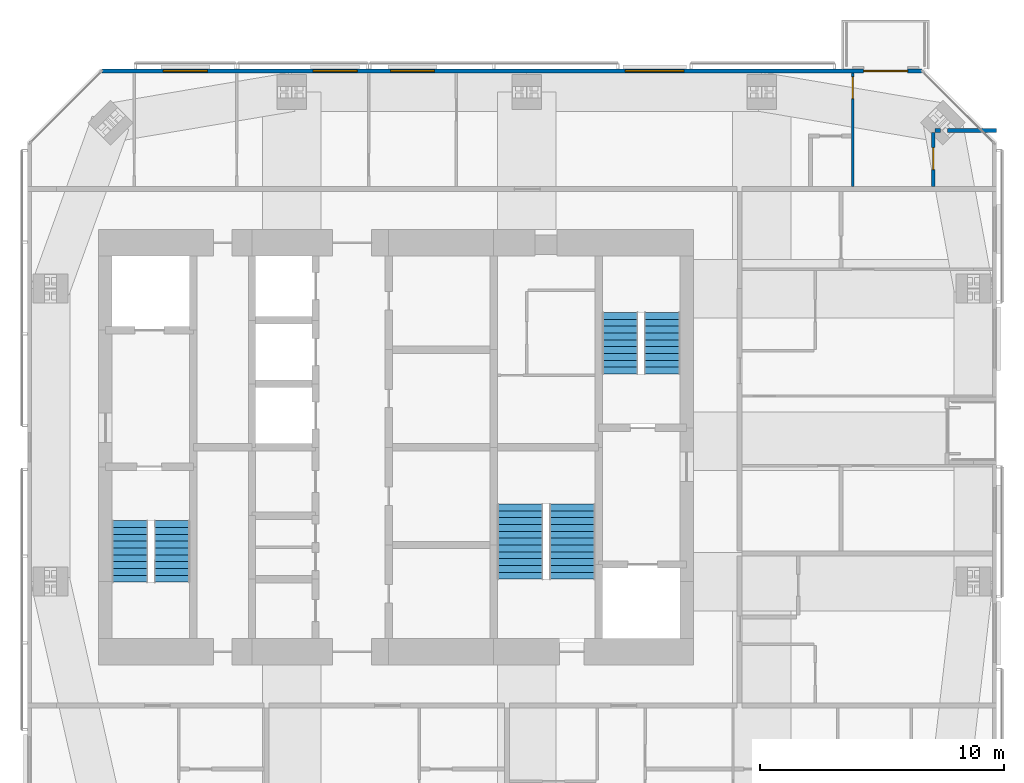
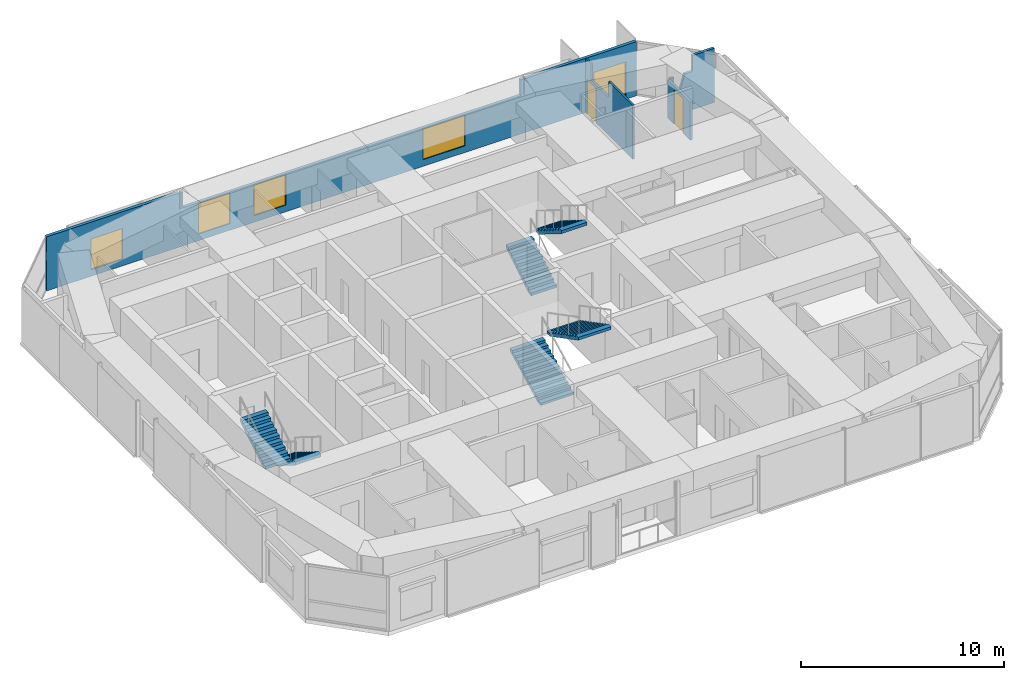
# One storey, part 19 of 20: 6 stair flights, 5 walls, 4 windows, 3 doors, 7 openings, 3 elements without a shape of their own.
"""IFC4 building model written with IfcOpenShell, lengths in metres."""

from ifc_helpers import new_model, si_unit, direction, frame, frame_2d, origin, place, context, subcontext, project, spatial, polyline, rectangle, outline, extrude, material, constituent, constituent_set, type_object, element, fill, aggregate, save


model = new_model("IFC4")

# Units and contexts
model_context = context("Model", 3, precision=1e-05, world=origin(), true_north=direction((0.0, 1.0)))
body_context = subcontext(model_context, "Body", "Model", "MODEL_VIEW")
ifc_project = project(units=[si_unit("LENGTHUNIT", "METRE"), si_unit("AREAUNIT", "SQUARE_METRE"), si_unit("VOLUMEUNIT", "CUBIC_METRE"), si_unit("PLANEANGLEUNIT", "RADIAN"), si_unit("MASSUNIT", "GRAM", prefix="KILO")], contexts=[model_context])

# Site, building, storey
site_placement = place(None, origin())
site = spatial("IfcSite", under=ifc_project, at=site_placement, CompositionType="ELEMENT")
building_placement = place(site_placement, origin())
building = spatial("IfcBuilding", under=site, at=building_placement, Name="Jalousie Tower", CompositionType="ELEMENT")
storey_placement = place(building_placement, frame((0.0, 0.0, 245.949951171875)))
storey = spatial("IfcBuildingStorey", under=building, at=storey_placement, Name="L67", CompositionType="ELEMENT", Elevation=245.949951171875)

# Walls
ifc_material_1 = material(Name="Concrete block ASTM C90", Category="concrete")
ifc_constituent_1 = constituent(ifc_material_1, Name="Body")
ifc_material_2 = material(Name="Render")
ifc_constituent_2 = constituent(ifc_material_2, Name="Finish")
ifc_constituent_set_1 = constituent_set(constituents=[ifc_constituent_1, ifc_constituent_2])
wall_type_1 = type_object("IfcWallType", Name="BATHROOM WALL 150", PredefinedType="PLUMBINGWALL", material=ifc_constituent_set_1)
wall_1_placement = place(storey_placement, frame((53.97509765625, 31.47509765625, 0.0), z_axis=(0.0, 0.0, 1.0), x_axis=(1.0, 0.0, 0.0)))
element("IfcWall", 1, at=wall_1_placement, inside=storey, type_object=wall_type_1, Name="Bathroom Wall 150 L67-A", PredefinedType="PLUMBINGWALL", context=body_context, shape_type="SweptSolid", body=[
    extrude(rectangle(XDim=0.216796875, YDim=0.14990234375, at=frame_2d((0.1083984375, 0.0))), origin(), (0.0, 0.0, 1.0), 2.300048828125),
])
wall_2_placement = place(storey_placement, frame((54.47802734375, 31.47509765625, 0.0), z_axis=(0.0, 0.0, 1.0), x_axis=(1.0, 0.0, 0.0)))
element("IfcWall", 2, at=wall_2_placement, inside=storey, type_object=wall_type_1, Name="Bathroom Wall 150 L67-B", PredefinedType="PLUMBINGWALL", context=body_context, shape_type="SweptSolid", body=[
    extrude(outline(polyline([(0.773681640625, 3.260009765625), (0.773681640625, 2.300048828125), (0.3251953125, 2.300048828125), (0.0, 1.150146484375), (0.3251953125, 0.0), (2.02197265625, 0.0), (2.02197265625, 3.260009765625), (0.773681640625, 3.260009765625)])), frame((0.0, 0.074951171875, 0.0), z_axis=(0.0, -1.0, 0.0), x_axis=(1.0, 0.0, 0.0)), (0.0, 0.0, 1.0), 0.14990234375),
])

# Wall, opening, door
wall_3_placement = place(storey_placement, frame((53.89990234375, 31.39990234375, 0.0), z_axis=(0.0, 0.0, 1.0), x_axis=(0.0, -1.0, 0.0)))
wall_3 = element("IfcWall", 3, at=wall_3_placement, inside=storey, type_object=wall_type_1, Name="Bathroom Wall 150 L67", PredefinedType="PLUMBINGWALL", context=body_context, shape_type="SweptSolid", body=[
    extrude(outline(polyline([(0.0, 0.0), (2.224853515625, 0.0), (2.22509765625, 3.260009765625), (2.22509765625, 2.300048828125), (0.43798828125, 2.300048828125), (0.0, 2.300048828125), (0.0, 3.260009765625), (0.0, 0.0)])), frame((0.0, 0.074951171875, 0.0), z_axis=(0.0, -1.0, 0.0), x_axis=(1.0, 0.0, 0.0)), (0.0, 0.0, 1.0), 0.14990234375),
])
opening_1_placement = place(wall_3_placement, frame((0.625, 0.0, 0.0)))
opening_1 = element("IfcOpeningElement", 4, at=opening_1_placement, cuts=wall_3, Name="Opening D3", PredefinedType="OPENING", context=body_context, shape_type="SweptSolid", body=[
    extrude(rectangle(XDim=0.89990234375, YDim=2.10009765625, at=frame_2d((0.449951171875, 1.050048828125))), frame((0.0, 0.0849609375, 0.0), z_axis=(0.0, -1.0, 0.0), x_axis=(1.0, 0.0, 0.0)), (0.0, 0.0, 1.0), 0.169921875),
])
ifc_material_3 = material(Name="Timber door", Category="wood")
door_type_1 = type_object("IfcDoorType", Name="BATHROOM DOOR 900", OperationType="SINGLE_SWING_LEFT", PredefinedType="DOOR", material=ifc_material_3)
door_1_placement = place(opening_1_placement, origin())
door_1 = element("IfcDoor", 5, at=door_1_placement, inside=storey, type_object=door_type_1, Name="Apartment 6704 bathroom door", OperationType="SINGLE_SWING_LEFT", OverallHeight=2.10009765625, OverallWidth=0.89990234375, PredefinedType="DOOR", context=body_context, shape_type="SweptSolid", body=[
    extrude(rectangle(XDim=0.89990234375, YDim=2.10009765625, at=frame_2d((0.449951171875, 1.050048828125))), frame((0.0, 0.02490234375, 0.0), z_axis=(0.0, -1.0, 0.0), x_axis=(1.0, 0.0, 0.0)), (0.0, 0.0, 1.0), 0.050048828125),
])
fill(opening_1, door_1)

# Wall, openings, door, windows
ifc_material_4 = material(Name="Concrete f'c 40 MPa", Category="concrete")
ifc_constituent_3 = constituent(ifc_material_4, Name="Body")
ifc_material_5 = material(Name="Render, pastel sky blue")
ifc_constituent_4 = constituent(ifc_material_5, Name="Finish")
ifc_constituent_set_2 = constituent_set(constituents=[ifc_constituent_3, ifc_constituent_4])
wall_type_2 = type_object("IfcWallType", Name="EXTERNAL WALL 175 SKY BLUE RENDER", PredefinedType="SOLIDWALL", material=ifc_constituent_set_2)
wall_4_placement = place(storey_placement, frame((53.44873046875, 33.91259765625, 0.0), z_axis=(0.0, 0.0, 1.0), x_axis=(-1.0, 0.0, 0.0)))
wall_4 = element("IfcWall", 6, at=wall_4_placement, inside=storey, type_object=wall_type_2, Name="External Wall 175 Sky Blue Render L67", PredefinedType="SOLIDWALL", context=body_context, shape_type="SweptSolid", body=[
    extrude(outline(polyline([(0.0, 0.0), (33.597412109375, 0.0), (33.597412109375, 3.260009765625), (26.03857421875, 3.260009765625), (26.03857421875, 2.300048828125), (25.955078125, 2.300048828125), (25.955078125, 3.260009765625), (25.82373046875, 3.260009765625), (25.82373046875, 2.300048828125), (6.57373046875, 2.300048828125), (6.57373046875, 3.260009765625), (6.4423828125, 3.260009765625), (6.4423828125, 2.300048828125), (6.35888671875, 2.300048828125), (6.35888671875, 3.260009765625), (0.0, 3.260009765625), (0.0, 0.0)])), frame((0.0, 0.08740234375, 0.0), z_axis=(0.0, -1.0, 0.0), x_axis=(1.0, 0.0, 0.0)), (0.0, 0.0, 1.0), 0.175048828125),
])
opening_2_placement = place(wall_4_placement, frame((0.60009765625, 0.0, 0.0)))
opening_2 = element("IfcOpeningElement", 7, at=opening_2_placement, cuts=wall_4, Name="Opening D-BAL22", PredefinedType="OPENING", context=body_context, shape_type="SweptSolid", body=[
    extrude(rectangle(XDim=1.800048828125, YDim=2.25, at=frame_2d((0.89990234375, 1.125))), frame((0.0, 0.097412109375, 0.0), z_axis=(0.0, -1.0, 0.0), x_axis=(1.0, 0.0, 0.0)), (0.0, 0.0, 1.0), 0.195068359375),
])
opening_3_placement = place(wall_4_placement, frame((9.760009765625, 0.0, 0.39990234375)))
opening_3 = element("IfcOpeningElement", 8, at=opening_3_placement, cuts=wall_4, Name="Opening W-LIV185", PredefinedType="OPENING", context=body_context, shape_type="SweptSolid", body=[
    extrude(rectangle(XDim=2.39990234375, YDim=1.85009765625, at=frame_2d((1.199951171875, 0.925048828125))), frame((0.0, 0.097412109375, 0.0), z_axis=(0.0, -1.0, 0.0), x_axis=(1.0, 0.0, 0.0)), (0.0, 0.0, 1.0), 0.195068359375),
])
opening_4_placement = place(wall_4_placement, frame((19.9736328125, 0.0, 0.39990234375)))
opening_4 = element("IfcOpeningElement", 9, at=opening_4_placement, cuts=wall_4, Name="Opening W-BED185", PredefinedType="OPENING", context=body_context, shape_type="SweptSolid", body=[
    extrude(rectangle(XDim=1.800048828125, YDim=1.85009765625, at=frame_2d((0.89990234375, 0.925048828125))), frame((0.0, 0.097412109375, 0.0), z_axis=(0.0, -1.0, 0.0), x_axis=(1.0, 0.0, 0.0)), (0.0, 0.0, 1.0), 0.195068359375),
])
opening_5_placement = place(wall_4_placement, frame((23.143798828125, 0.0, 0.39990234375)))
opening_5 = element("IfcOpeningElement", 10, at=opening_5_placement, cuts=wall_4, Name="Opening W-BED185", PredefinedType="OPENING", context=body_context, shape_type="SweptSolid", body=[
    extrude(rectangle(XDim=1.800048828125, YDim=1.85009765625, at=frame_2d((0.89990234375, 0.925048828125))), frame((0.0, 0.097412109375, 0.0), z_axis=(0.0, -1.0, 0.0), x_axis=(1.0, 0.0, 0.0)), (0.0, 0.0, 1.0), 0.195068359375),
])
opening_6_placement = place(wall_4_placement, frame((29.273193359375, 0.0, 0.39990234375)))
opening_6 = element("IfcOpeningElement", 11, at=opening_6_placement, cuts=wall_4, Name="Opening W-BED185", PredefinedType="OPENING", context=body_context, shape_type="SweptSolid", body=[
    extrude(rectangle(XDim=1.800048828125, YDim=1.85009765625, at=frame_2d((0.89990234375, 0.925048828125))), frame((0.0, 0.097412109375, 0.0), z_axis=(0.0, -1.0, 0.0), x_axis=(1.0, 0.0, 0.0)), (0.0, 0.0, 1.0), 0.195068359375),
])
ifc_material_6 = material(Name="Aluminium frame, impact-rated glazing", Category="aluminium")
door_type_2 = type_object("IfcDoorType", Name="BALCONY DOOR 1800x2250", OperationType="SLIDING_TO_LEFT", PredefinedType="DOOR", material=ifc_material_6)
door_2_placement = place(opening_2_placement, origin())
door_2 = element("IfcDoor", 12, at=door_2_placement, inside=storey, type_object=door_type_2, Name="Apartment 6704 bedroom 5 balcony door", OperationType="SLIDING_TO_LEFT", OverallHeight=2.25, OverallWidth=1.800048828125, PredefinedType="DOOR", context=body_context, shape_type="SweptSolid", body=[
    extrude(rectangle(XDim=1.800048828125, YDim=2.25, at=frame_2d((0.89990234375, 1.125))), frame((0.0, 0.02490234375, 0.0), z_axis=(0.0, -1.0, 0.0), x_axis=(1.0, 0.0, 0.0)), (0.0, 0.0, 1.0), 0.050048828125),
])
fill(opening_2, door_2)
ifc_material_7 = material(Name="Aluminium frame, impact-rated glazing", Category="aluminium")
window_type_1 = type_object("IfcWindowType", Name="WINDOW BED 1800x1850", PartitioningType="SINGLE_PANEL", PredefinedType="WINDOW", material=ifc_material_7)
window_1_placement = place(opening_4_placement, origin())
window_1 = element("IfcWindow", 13, at=window_1_placement, inside=storey, type_object=window_type_1, Name="Apartment 6704 bedroom 4 window", OverallHeight=1.85009765625, OverallWidth=1.800048828125, PartitioningType="SINGLE_PANEL", PredefinedType="WINDOW", context=body_context, shape_type="SweptSolid", body=[
    extrude(rectangle(XDim=1.800048828125, YDim=1.85009765625, at=frame_2d((0.89990234375, 0.925048828125))), frame((0.0, 0.030029296875, 0.0), z_axis=(0.0, -1.0, 0.0), x_axis=(1.0, 0.0, 0.0)), (0.0, 0.0, 1.0), 0.06005859375),
])
fill(opening_4, window_1)
window_2_placement = place(opening_5_placement, origin())
window_2 = element("IfcWindow", 14, at=window_2_placement, inside=storey, type_object=window_type_1, Name="Apartment 6704 bedroom 3 window", OverallHeight=1.85009765625, OverallWidth=1.800048828125, PartitioningType="SINGLE_PANEL", PredefinedType="WINDOW", context=body_context, shape_type="SweptSolid", body=[
    extrude(rectangle(XDim=1.800048828125, YDim=1.85009765625, at=frame_2d((0.89990234375, 0.925048828125))), frame((0.0, 0.030029296875, 0.0), z_axis=(0.0, -1.0, 0.0), x_axis=(1.0, 0.0, 0.0)), (0.0, 0.0, 1.0), 0.06005859375),
])
fill(opening_5, window_2)
window_3_placement = place(opening_6_placement, origin())
window_3 = element("IfcWindow", 15, at=window_3_placement, inside=storey, type_object=window_type_1, Name="Apartment 6704 bedroom 2 window", OverallHeight=1.85009765625, OverallWidth=1.800048828125, PartitioningType="SINGLE_PANEL", PredefinedType="WINDOW", context=body_context, shape_type="SweptSolid", body=[
    extrude(rectangle(XDim=1.800048828125, YDim=1.85009765625, at=frame_2d((0.89990234375, 0.925048828125))), frame((0.0, 0.030029296875, 0.0), z_axis=(0.0, -1.0, 0.0), x_axis=(1.0, 0.0, 0.0)), (0.0, 0.0, 1.0), 0.06005859375),
])
fill(opening_6, window_3)
ifc_material_8 = material(Name="Aluminium frame, impact-rated glazing", Category="aluminium")
window_type_2 = type_object("IfcWindowType", Name="WINDOW LIV 2400x1850", PartitioningType="DOUBLE_PANEL_VERTICAL", PredefinedType="WINDOW", material=ifc_material_8)
window_4_placement = place(opening_3_placement, origin())
window_4 = element("IfcWindow", 16, at=window_4_placement, inside=storey, type_object=window_type_2, Name="Apartment 6704 living, dining and kitchen window", OverallHeight=1.85009765625, OverallWidth=2.39990234375, PartitioningType="SINGLE_PANEL", PredefinedType="WINDOW", context=body_context, shape_type="SweptSolid", body=[
    extrude(rectangle(XDim=2.39990234375, YDim=1.85009765625, at=frame_2d((1.199951171875, 0.925048828125))), frame((0.0, 0.030029296875, 0.0), z_axis=(0.0, -1.0, 0.0), x_axis=(1.0, 0.0, 0.0)), (0.0, 0.0, 1.0), 0.06005859375),
])
fill(opening_3, window_4)

# Wall, opening, door
ifc_material_9 = material(Name="Gypsum board", Category="gypsum")
ifc_constituent_5 = constituent(ifc_material_9, Name="Body")
ifc_material_10 = material(Name="Light-gauge steel studs ASTM A653 SS Grade 33", Category="steel")
ifc_constituent_6 = constituent(ifc_material_10, Name="Framing")
ifc_constituent_set_3 = constituent_set(constituents=[ifc_constituent_5, ifc_constituent_6])
wall_type_3 = type_object("IfcWallType", Name="PARTITION 100", PredefinedType="PARTITIONING", material=ifc_constituent_set_3)
wall_5_placement = place(storey_placement, frame((50.6025390625, 33.824951171875, 0.0), z_axis=(0.0, 0.0, 1.0), x_axis=(0.0, -1.0, 0.0)))
wall_5 = element("IfcWall", 17, at=wall_5_placement, inside=storey, type_object=wall_type_3, Name="Partition 100 L67", PredefinedType="PARTITIONING", context=body_context, shape_type="SweptSolid", body=[
    extrude(outline(polyline([(0.0, 0.0), (4.64990234375, 0.0), (4.64990234375, 3.260009765625), (2.279052734375, 3.260009765625), (2.279052734375, 2.300048828125), (0.534423828125, 2.300048828125), (0.534423828125, 3.260009765625), (0.0, 3.260009765625), (0.0, 0.0)])), frame((0.0, 0.050048828125, 0.0), z_axis=(0.0, -1.0, 0.0), x_axis=(1.0, 0.0, 0.0)), (0.0, 0.0, 1.0), 0.10009765625),
])
opening_7_placement = place(wall_5_placement, frame((0.14990234375, 0.0, 0.0)))
opening_7 = element("IfcOpeningElement", 18, at=opening_7_placement, cuts=wall_5, Name="Opening D2", PredefinedType="OPENING", context=body_context, shape_type="SweptSolid", body=[
    extrude(rectangle(XDim=0.89990234375, YDim=2.10009765625, at=frame_2d((0.449951171875, 1.050048828125))), frame((0.0, 0.06005859375, 0.0), z_axis=(0.0, -1.0, 0.0), x_axis=(1.0, 0.0, 0.0)), (0.0, 0.0, 1.0), 0.1201171875),
])
ifc_material_11 = material(Name="Timber door", Category="wood")
door_type_3 = type_object("IfcDoorType", Name="BEDROOM DOOR 900", OperationType="SINGLE_SWING_LEFT", PredefinedType="DOOR", material=ifc_material_11)
door_3_placement = place(opening_7_placement, origin())
door_3 = element("IfcDoor", 19, at=door_3_placement, inside=storey, type_object=door_type_3, Name="Apartment 6704 bedroom 5 door", OperationType="SINGLE_SWING_LEFT", OverallHeight=2.10009765625, OverallWidth=0.89990234375, PredefinedType="DOOR", context=body_context, shape_type="SweptSolid", body=[
    extrude(rectangle(XDim=0.89990234375, YDim=2.10009765625, at=frame_2d((0.449951171875, 1.050048828125))), frame((0.0, 0.02490234375, 0.0), z_axis=(0.0, -1.0, 0.0), x_axis=(1.0, 0.0, 0.0)), (0.0, 0.0, 1.0), 0.050048828125),
])
fill(opening_7, door_3)

# Stair, stair flights
ifc_material_12 = material(Name="Concrete f'c 40 MPa", Category="concrete")
stair_type = type_object("IfcStairType", Name="EXIT STAIR", PredefinedType="HALF_TURN_STAIR", material=ifc_material_12)
stair_1_placement = place(storey_placement, origin())
stair_1 = element("IfcStair", 20, at=stair_1_placement, inside=storey, type_object=stair_type, Name="Exit stair A L67", PredefinedType="HALF_TURN_STAIR")
ifc_material_13 = material(Name="Concrete f'c 40 MPa", Category="concrete")
stair_flight_type = type_object("IfcStairFlightType", Name="STAIR FLIGHT", PredefinedType="STRAIGHT", material=ifc_material_13)
stair_flight_1_placement = place(storey_placement, frame((22.71875, 15.49755859375, 0.0), z_axis=(0.0, 0.0, 1.0), x_axis=(0.0, -1.0, 0.0)))
stair_flight_1 = element("IfcStairFlight", 21, at=stair_flight_1_placement, type_object=stair_flight_type, Name="ST-A flight 1", NumberOfRisers=10, NumberOfTreads=9, PredefinedType="STRAIGHT", RiserHeight=0.175, TreadLength=0.28, context=body_context, shape_type="SweptSolid", body=[
    extrude(outline(polyline([(0.0, 0.0), (0.0, 0.175048828125), (0.280029296875, 0.175048828125), (0.280029296875, 0.35009765625), (0.56005859375, 0.35009765625), (0.56005859375, 0.52490234375), (0.840087890625, 0.52490234375), (0.840087890625, 0.699951171875), (1.1201171875, 0.699951171875), (1.1201171875, 0.875), (1.39990234375, 0.875), (1.39990234375, 1.050048828125), (1.679931640625, 1.050048828125), (1.679931640625, 1.22509765625), (1.9599609375, 1.22509765625), (1.9599609375, 1.39990234375), (2.239990234375, 1.39990234375), (2.239990234375, 1.574951171875), (2.52001953125, 1.574951171875), (2.52001953125, 1.75), (2.52001953125, 1.398193359375), (0.28271484375, 0.0), (0.0, 0.0)])), frame((0.0, 0.731201171875, 0.0), z_axis=(0.0, -1.0, 0.0), x_axis=(1.0, 0.0, 0.0)), (0.0, 0.0, 1.0), 1.46240234375),
])
stair_flight_2_placement = place(storey_placement, frame((21.00634765625, 12.9775390625, 1.75), z_axis=(0.0, 0.0, 1.0), x_axis=(0.0, 1.0, 0.0)))
stair_flight_2 = element("IfcStairFlight", 22, at=stair_flight_2_placement, type_object=stair_flight_type, Name="ST-A flight 2", NumberOfRisers=10, NumberOfTreads=9, PredefinedType="STRAIGHT", RiserHeight=0.175, TreadLength=0.28, context=body_context, shape_type="SweptSolid", body=[
    extrude(outline(polyline([(0.0, 0.0), (0.0, 0.175048828125), (0.280029296875, 0.175048828125), (0.280029296875, 0.35009765625), (0.56005859375, 0.35009765625), (0.56005859375, 0.52490234375), (0.840087890625, 0.52490234375), (0.840087890625, 0.699951171875), (1.1201171875, 0.699951171875), (1.1201171875, 0.875), (1.39990234375, 0.875), (1.39990234375, 1.050048828125), (1.679931640625, 1.050048828125), (1.679931640625, 1.22509765625), (1.9599609375, 1.22509765625), (1.9599609375, 1.39990234375), (2.239990234375, 1.39990234375), (2.239990234375, 1.574951171875), (2.52001953125, 1.574951171875), (2.52001953125, 1.75), (2.52001953125, 1.398193359375), (0.28271484375, 0.0), (0.0, 0.0)])), frame((0.0, 0.731201171875, 0.0), z_axis=(0.0, -1.0, 0.0), x_axis=(1.0, 0.0, 0.0)), (0.0, 0.0, 1.0), 1.46240234375),
])
aggregate(stair_1, [stair_flight_1, stair_flight_2])

stair_2_placement = place(storey_placement, origin())
stair_2 = element("IfcStair", 23, at=stair_2_placement, inside=storey, type_object=stair_type, Name="Exit stair B L67", PredefinedType="HALF_TURN_STAIR")
stair_flight_3_placement = place(storey_placement, frame((41.081298828125, 21.50244140625, 0.0), z_axis=(0.0, 0.0, 1.0), x_axis=(0.0, 1.0, 0.0)))
stair_flight_3 = element("IfcStairFlight", 24, at=stair_flight_3_placement, type_object=stair_flight_type, Name="ST-B flight 1", NumberOfRisers=10, NumberOfTreads=9, PredefinedType="STRAIGHT", RiserHeight=0.175, TreadLength=0.28, context=body_context, shape_type="SweptSolid", body=[
    extrude(outline(polyline([(0.0, 0.0), (0.0, 0.175048828125), (0.280029296875, 0.175048828125), (0.280029296875, 0.35009765625), (0.56005859375, 0.35009765625), (0.56005859375, 0.52490234375), (0.840087890625, 0.52490234375), (0.840087890625, 0.699951171875), (1.1201171875, 0.699951171875), (1.1201171875, 0.875), (1.39990234375, 0.875), (1.39990234375, 1.050048828125), (1.679931640625, 1.050048828125), (1.679931640625, 1.22509765625), (1.9599609375, 1.22509765625), (1.9599609375, 1.39990234375), (2.239990234375, 1.39990234375), (2.239990234375, 1.574951171875), (2.52001953125, 1.574951171875), (2.52001953125, 1.75), (2.52001953125, 1.398193359375), (0.28271484375, 0.0), (0.0, 0.0)])), frame((0.0, 0.731201171875, 0.0), z_axis=(0.0, -1.0, 0.0), x_axis=(1.0, 0.0, 0.0)), (0.0, 0.0, 1.0), 1.46240234375),
])
stair_flight_4_placement = place(storey_placement, frame((42.793701171875, 24.0224609375, 1.75), z_axis=(0.0, 0.0, 1.0), x_axis=(0.0, -1.0, 0.0)))
stair_flight_4 = element("IfcStairFlight", 25, at=stair_flight_4_placement, type_object=stair_flight_type, Name="ST-B flight 2", NumberOfRisers=10, NumberOfTreads=9, PredefinedType="STRAIGHT", RiserHeight=0.175, TreadLength=0.28, context=body_context, shape_type="SweptSolid", body=[
    extrude(outline(polyline([(0.0, 0.0), (0.0, 0.175048828125), (0.280029296875, 0.175048828125), (0.280029296875, 0.35009765625), (0.56005859375, 0.35009765625), (0.56005859375, 0.52490234375), (0.840087890625, 0.52490234375), (0.840087890625, 0.699951171875), (1.1201171875, 0.699951171875), (1.1201171875, 0.875), (1.39990234375, 0.875), (1.39990234375, 1.050048828125), (1.679931640625, 1.050048828125), (1.679931640625, 1.22509765625), (1.9599609375, 1.22509765625), (1.9599609375, 1.39990234375), (2.239990234375, 1.39990234375), (2.239990234375, 1.574951171875), (2.52001953125, 1.574951171875), (2.52001953125, 1.75), (2.52001953125, 1.398193359375), (0.28271484375, 0.0), (0.0, 0.0)])), frame((0.0, 0.731201171875, 0.0), z_axis=(0.0, -1.0, 0.0), x_axis=(1.0, 0.0, 0.0)), (0.0, 0.0, 1.0), 1.46240234375),
])
aggregate(stair_2, [stair_flight_3, stair_flight_4])

stair_3_placement = place(storey_placement, origin())
stair_3 = element("IfcStair", 26, at=stair_3_placement, inside=storey, type_object=stair_type, Name="Exit stair C L67", PredefinedType="HALF_TURN_STAIR")
stair_flight_5_placement = place(storey_placement, frame((36.987548828125, 13.097412109375, 0.0), z_axis=(0.0, 0.0, 1.0), x_axis=(0.0, 1.0, 0.0)))
stair_flight_5 = element("IfcStairFlight", 27, at=stair_flight_5_placement, type_object=stair_flight_type, Name="ST-C flight 1", NumberOfRisers=12, NumberOfTreads=11, PredefinedType="STRAIGHT", RiserHeight=0.145833333, TreadLength=0.28, context=body_context, shape_type="SweptSolid", body=[
    extrude(outline(polyline([(0.0, 0.0), (0.0, 0.145751953125), (0.280029296875, 0.145751953125), (0.280029296875, 0.291748046875), (0.56005859375, 0.291748046875), (0.56005859375, 0.4375), (0.840087890625, 0.4375), (0.840087890625, 0.583251953125), (1.1201171875, 0.583251953125), (1.1201171875, 0.729248046875), (1.39990234375, 0.729248046875), (1.39990234375, 0.875), (1.679931640625, 0.875), (1.679931640625, 1.020751953125), (1.9599609375, 1.020751953125), (1.9599609375, 1.166748046875), (2.239990234375, 1.166748046875), (2.239990234375, 1.3125), (2.52001953125, 1.3125), (2.52001953125, 1.458251953125), (2.800048828125, 1.458251953125), (2.800048828125, 1.604248046875), (3.080078125, 1.604248046875), (3.080078125, 1.75), (3.080078125, 1.43505859375), (0.324462890625, 0.0), (0.0, 0.0)])), frame((0.0, 0.9375, 0.0), z_axis=(0.0, -1.0, 0.0), x_axis=(1.0, 0.0, 0.0)), (0.0, 0.0, 1.0), 1.875),
])
stair_flight_6_placement = place(storey_placement, frame((39.112548828125, 16.177490234375, 1.75), z_axis=(0.0, 0.0, 1.0), x_axis=(0.0, -1.0, 0.0)))
stair_flight_6 = element("IfcStairFlight", 28, at=stair_flight_6_placement, type_object=stair_flight_type, Name="ST-C flight 2", NumberOfRisers=12, NumberOfTreads=11, PredefinedType="STRAIGHT", RiserHeight=0.145833333, TreadLength=0.28, context=body_context, shape_type="SweptSolid", body=[
    extrude(outline(polyline([(0.0, 0.0), (0.0, 0.145751953125), (0.280029296875, 0.145751953125), (0.280029296875, 0.291748046875), (0.56005859375, 0.291748046875), (0.56005859375, 0.4375), (0.840087890625, 0.4375), (0.840087890625, 0.583251953125), (1.1201171875, 0.583251953125), (1.1201171875, 0.729248046875), (1.39990234375, 0.729248046875), (1.39990234375, 0.875), (1.679931640625, 0.875), (1.679931640625, 1.020751953125), (1.9599609375, 1.020751953125), (1.9599609375, 1.166748046875), (2.239990234375, 1.166748046875), (2.239990234375, 1.3125), (2.52001953125, 1.3125), (2.52001953125, 1.458251953125), (2.800048828125, 1.458251953125), (2.800048828125, 1.604248046875), (3.080078125, 1.604248046875), (3.080078125, 1.75), (3.080078125, 1.43505859375), (0.324462890625, 0.0), (0.0, 0.0)])), frame((0.0, 0.9375, 0.0), z_axis=(0.0, -1.0, 0.0), x_axis=(1.0, 0.0, 0.0)), (0.0, 0.0, 1.0), 1.875),
])
aggregate(stair_3, [stair_flight_5, stair_flight_6])

save(model, "model.ifc")
